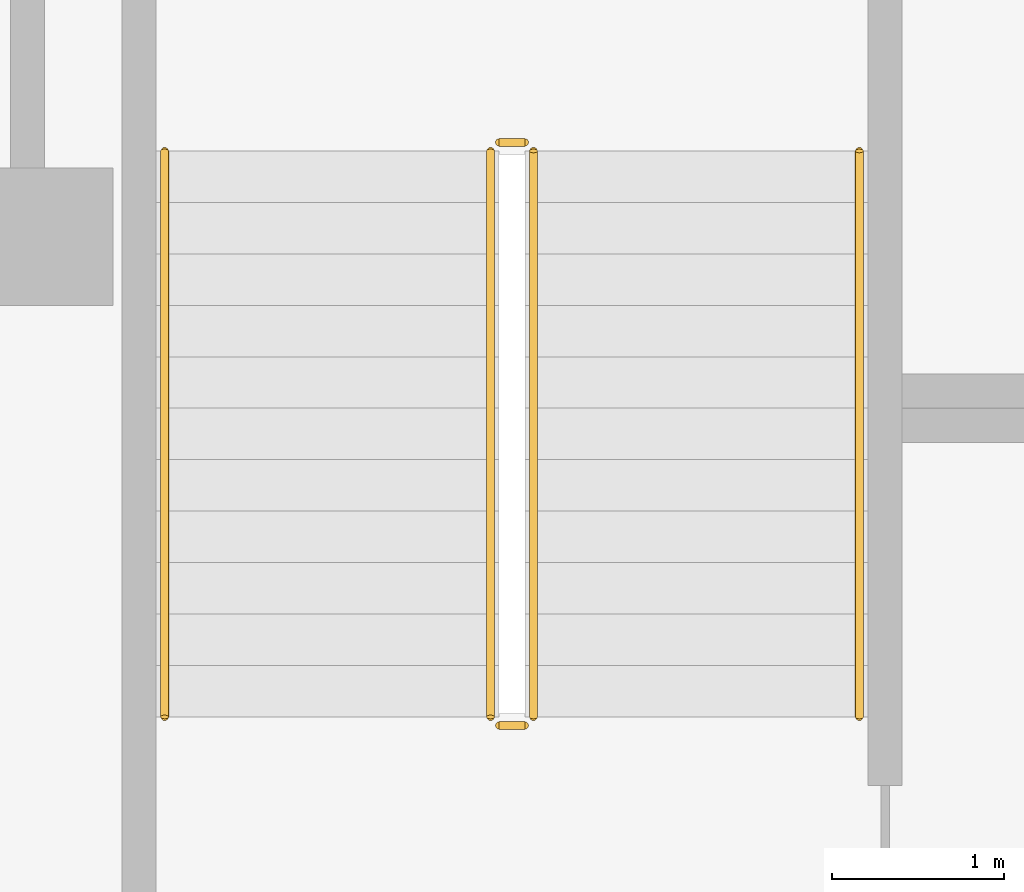
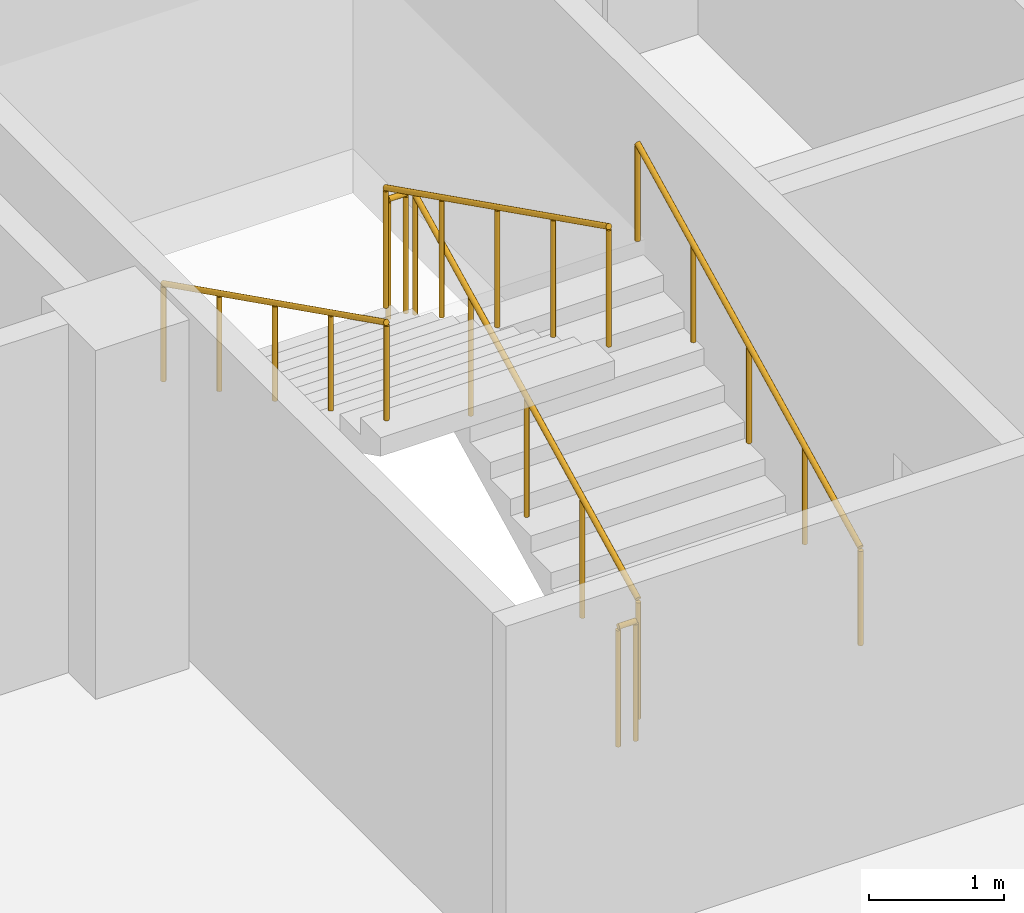
# One storey, part 32 of 37: 6 railings.
"""IFC4 building model written with IfcOpenShell, lengths in metres."""

from ifc_helpers import new_model, si_unit, direction, frame, origin, origin_2d, place, context, subcontext, project, spatial, circle, extrude, material, type_object, element, save


model = new_model("IFC4")

# Units and contexts
model_context = context("Model", 3, precision=1e-05, world=origin(), true_north=direction((0.0, 1.0)))
body_context = subcontext(model_context, "Body", "Model", "MODEL_VIEW")
ifc_project = project(units=[si_unit("LENGTHUNIT", "METRE"), si_unit("AREAUNIT", "SQUARE_METRE"), si_unit("VOLUMEUNIT", "CUBIC_METRE"), si_unit("PLANEANGLEUNIT", "RADIAN"), si_unit("MASSUNIT", "GRAM", prefix="KILO")], contexts=[model_context])

# Site, building, storey
site_placement = place(None, origin())
site = spatial("IfcSite", under=ifc_project, at=site_placement, CompositionType="ELEMENT")
building_placement = place(site_placement, origin())
building = spatial("IfcBuilding", under=site, at=building_placement, Name="Tamra Quay Hotel Tower", CompositionType="ELEMENT")
storey_placement = place(building_placement, frame((0.0, 0.0, -3.60009765625)))
storey = spatial("IfcBuildingStorey", under=building, at=storey_placement, Name="B1", CompositionType="ELEMENT", Elevation=-3.60009765625)

# Railings
ifc_material_1 = material(Name="Basement stair guard 1100")
railing_type_1 = type_object("IfcRailingType", Name="Basement stair guard 1100", PredefinedType="GUARDRAIL", material=ifc_material_1)
railing_1_placement = place(storey_placement, frame((31.35009765625, 13.199951171875, 0.150146484375)))
element("IfcRailing", 1, at=railing_1_placement, inside=storey, type_object=railing_type_1, Name="BSG", PredefinedType="GUARDRAIL", context=body_context, shape_type="SweptSolid", body=[
    extrude(circle(Radius=0.02392578125, at=origin_2d()), frame((0.0, 0.0, 1.076171875), z_axis=(0.0, 0.894440424912, 0.447187126696), x_axis=(-1.0, 0.0, 0.0)), (0.0, 0.0, 1.0), 3.689453125),
    extrude(circle(Radius=0.02099609375, at=origin_2d()), origin(), (0.0, 0.0, 1.0), 1.052001953125),
    extrude(circle(Radius=0.02099609375, at=origin_2d()), frame((0.0, 0.824951171875, 0.41259765625)), (0.0, 0.0, 1.0), 1.052001953125),
    extrude(circle(Radius=0.02099609375, at=origin_2d()), frame((0.0, 1.64990234375, 0.824951171875)), (0.0, 0.0, 1.0), 1.052001953125),
    extrude(circle(Radius=0.02099609375, at=origin_2d()), frame((0.0, 2.47509765625, 1.2373046875)), (0.0, 0.0, 1.0), 1.052001953125),
    extrude(circle(Radius=0.02099609375, at=origin_2d()), frame((0.0, 3.300048828125, 1.64990234375)), (0.0, 0.0, 1.0), 1.052001953125),
])
railing_2_placement = place(storey_placement, frame((31.300048828125, 16.550048828125, 1.800048828125)))
element("IfcRailing", 2, at=railing_2_placement, inside=storey, type_object=railing_type_1, Name="BSG", PredefinedType="GUARDRAIL", context=body_context, shape_type="SweptSolid", body=[
    extrude(circle(Radius=0.02392578125, at=origin_2d()), frame((0.0, 0.0, 1.076171875), z_axis=(-1.0, 0.0, 0.0), x_axis=(0.0, -1.0, 0.0)), (0.0, 0.0, 1.0), 0.150146484375),
    extrude(circle(Radius=0.02099609375, at=origin_2d()), origin(), (0.0, 0.0, 1.0), 1.052001953125),
    extrude(circle(Radius=0.02099609375, at=origin_2d()), frame((-0.150146484375, 0.0, 0.0)), (0.0, 0.0, 1.0), 1.052001953125),
])
railing_3_placement = place(storey_placement, frame((31.10009765625, 16.5, 1.9501953125)))
element("IfcRailing", 3, at=railing_3_placement, inside=storey, type_object=railing_type_1, Name="BSG", PredefinedType="GUARDRAIL", context=body_context, shape_type="SweptSolid", body=[
    extrude(circle(Radius=0.02392578125, at=origin_2d()), frame((0.0, 0.0, 1.076171875), z_axis=(0.0, -0.894440424912, 0.447187126696), x_axis=(1.0, 0.0, 0.0)), (0.0, 0.0, 1.0), 3.689453125),
    extrude(circle(Radius=0.02099609375, at=origin_2d()), origin(), (0.0, 0.0, 1.0), 1.052001953125),
    extrude(circle(Radius=0.02099609375, at=origin_2d()), frame((0.0, -0.824951171875, 0.41259765625)), (0.0, 0.0, 1.0), 1.052001953125),
    extrude(circle(Radius=0.02099609375, at=origin_2d()), frame((0.0, -1.64990234375, 0.824951171875)), (0.0, 0.0, 1.0), 1.052001953125),
    extrude(circle(Radius=0.02099609375, at=origin_2d()), frame((0.0, -2.47509765625, 1.2373046875)), (0.0, 0.0, 1.0), 1.052001953125),
    extrude(circle(Radius=0.02099609375, at=origin_2d()), frame((0.0, -3.300048828125, 1.64990234375)), (0.0, 0.0, 1.0), 1.052001953125),
])
railing_4_placement = place(storey_placement, frame((31.300048828125, 13.14990234375, 0.0)))
element("IfcRailing", 4, at=railing_4_placement, inside=storey, type_object=railing_type_1, Name="BSG", PredefinedType="GUARDRAIL", context=body_context, shape_type="SweptSolid", body=[
    extrude(circle(Radius=0.02392578125, at=origin_2d()), frame((0.0, 0.0, 1.076171875), z_axis=(-1.0, 0.0, 0.0), x_axis=(0.0, -1.0, 0.0)), (0.0, 0.0, 1.0), 0.150146484375),
    extrude(circle(Radius=0.02099609375, at=origin_2d()), origin(), (0.0, 0.0, 1.0), 1.052001953125),
    extrude(circle(Radius=0.02099609375, at=origin_2d()), frame((-0.150146484375, 0.0, 0.0)), (0.0, 0.0, 1.0), 1.052001953125),
])
ifc_material_2 = material(Name="Basement stair handrail 900")
railing_type_2 = type_object("IfcRailingType", Name="Basement stair handrail 900", PredefinedType="HANDRAIL", material=ifc_material_2)
railing_5_placement = place(storey_placement, frame((33.25, 13.199951171875, 0.150146484375)))
element("IfcRailing", 5, at=railing_5_placement, inside=storey, type_object=railing_type_2, Name="BSH", PredefinedType="HANDRAIL", context=body_context, shape_type="SweptSolid", body=[
    extrude(circle(Radius=0.02392578125, at=origin_2d()), frame((0.0, 0.0, 0.8759765625), z_axis=(0.0, 0.894440424912, 0.447187126696), x_axis=(-1.0, 0.0, 0.0)), (0.0, 0.0, 1.0), 3.689453125),
    extrude(circle(Radius=0.02099609375, at=origin_2d()), origin(), (0.0, 0.0, 1.0), 0.851806640625),
    extrude(circle(Radius=0.02099609375, at=origin_2d()), frame((0.0, 0.824951171875, 0.41259765625)), (0.0, 0.0, 1.0), 0.851806640625),
    extrude(circle(Radius=0.02099609375, at=origin_2d()), frame((0.0, 1.64990234375, 0.824951171875)), (0.0, 0.0, 1.0), 0.851806640625),
    extrude(circle(Radius=0.02099609375, at=origin_2d()), frame((0.0, 2.47509765625, 1.2373046875)), (0.0, 0.0, 1.0), 0.851806640625),
    extrude(circle(Radius=0.02099609375, at=origin_2d()), frame((0.0, 3.300048828125, 1.64990234375)), (0.0, 0.0, 1.0), 0.851806640625),
])
railing_6_placement = place(storey_placement, frame((29.199951171875, 16.5, 1.9501953125)))
element("IfcRailing", 6, at=railing_6_placement, inside=storey, type_object=railing_type_2, Name="BSH", PredefinedType="HANDRAIL", context=body_context, shape_type="SweptSolid", body=[
    extrude(circle(Radius=0.02392578125, at=origin_2d()), frame((0.0, 0.0, 0.8759765625), z_axis=(0.0, -0.894440424912, 0.447187126696), x_axis=(1.0, 0.0, 0.0)), (0.0, 0.0, 1.0), 3.689453125),
    extrude(circle(Radius=0.02099609375, at=origin_2d()), origin(), (0.0, 0.0, 1.0), 0.851806640625),
    extrude(circle(Radius=0.02099609375, at=origin_2d()), frame((0.0, -0.824951171875, 0.41259765625)), (0.0, 0.0, 1.0), 0.851806640625),
    extrude(circle(Radius=0.02099609375, at=origin_2d()), frame((0.0, -1.64990234375, 0.824951171875)), (0.0, 0.0, 1.0), 0.851806640625),
    extrude(circle(Radius=0.02099609375, at=origin_2d()), frame((0.0, -2.47509765625, 1.2373046875)), (0.0, 0.0, 1.0), 0.851806640625),
    extrude(circle(Radius=0.02099609375, at=origin_2d()), frame((0.0, -3.300048828125, 1.64990234375)), (0.0, 0.0, 1.0), 0.851806640625),
])

save(model, "model.ifc")
